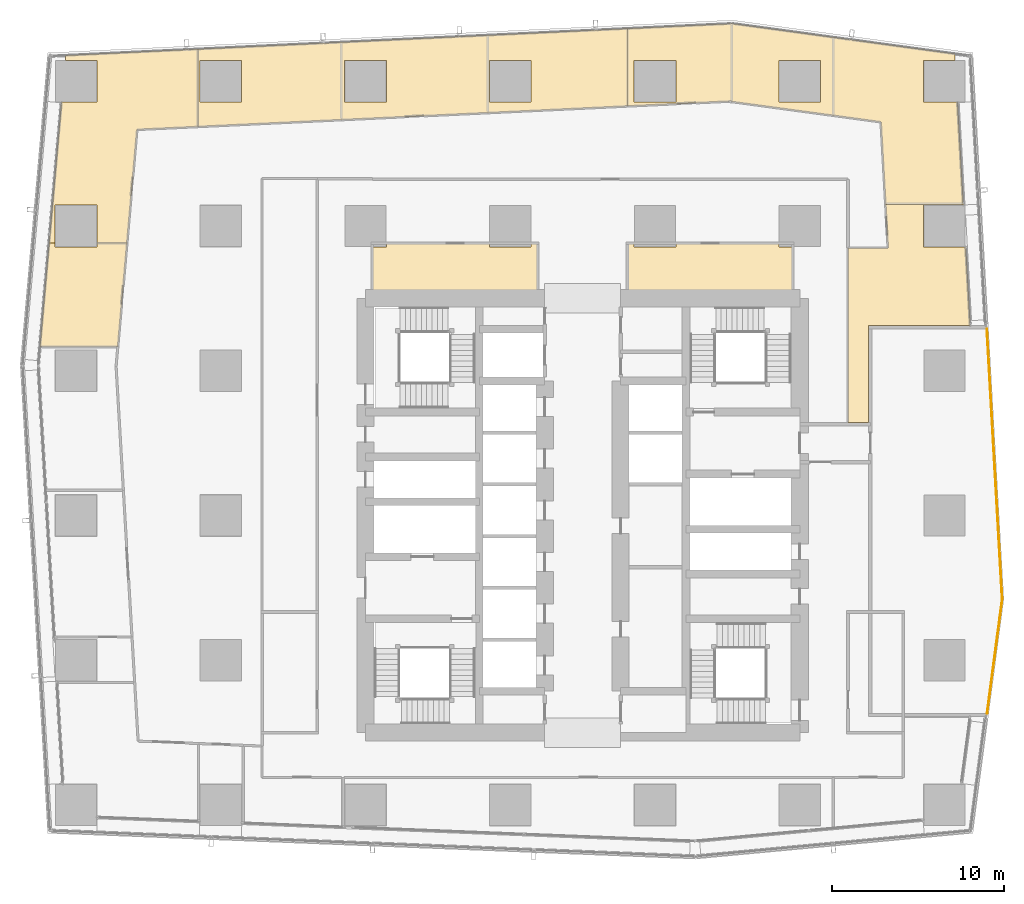
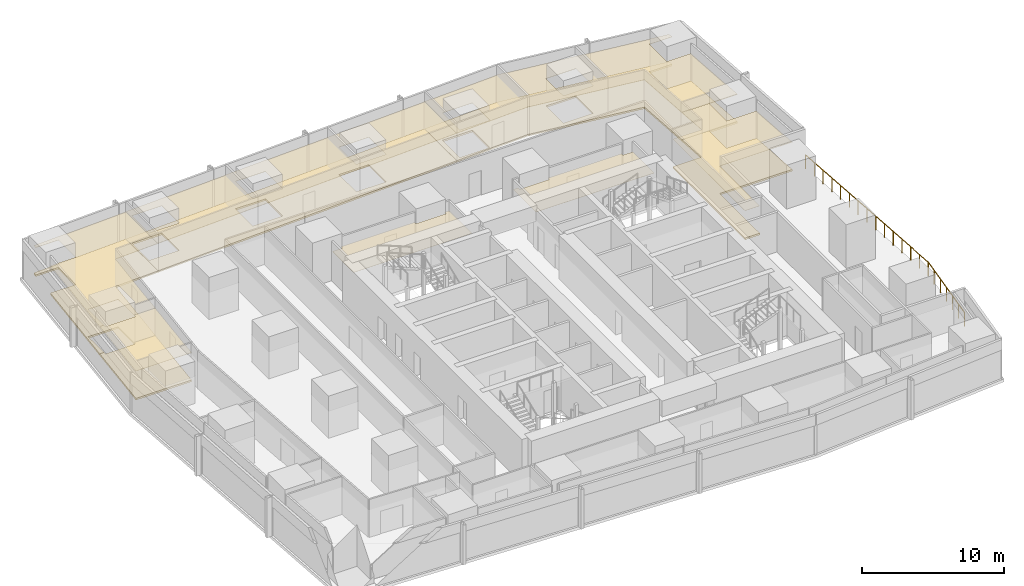
# One storey, part 34 of 34: 12 coverings, 1 railing.
"""IFC4 building model written with IfcOpenShell, lengths in metres."""

import ifcopenshell
import ifcopenshell.guid

model = None  # the IFC model being written
_history = None  # IfcOwnerHistory: only IFC2X3 demands one
_inside = {}  # id of a spatial element -> (the spatial element, [elements in it])
_under = {}  # id of a project, library or spatial element -> (it, [spatial elements below it])
_declared = {}  # id of a project -> (the project, [libraries it declares])
_typed = {}  # id of a type object -> (the type object, [elements of that type])
_made_of = {}  # id of a material, layer set ... -> (it, [elements and type objects made of it])


def new_model(schema):
    """Start an empty IFC model of exactly this schema.

    Asked for "IFC4X3", IfcOpenShell would pick the latest addendum, in which some entities
    have other attributes; the version numbers below select the first issue.
    IFC2X3 requires an IfcOwnerHistory on every rooted entity: one is made here for all.
    """
    global model, _history
    if schema == "IFC4X3":
        model = ifcopenshell.file(schema_version=(4, 3, 0, 0))
    else:
        model = ifcopenshell.file(schema=schema)
    _inside.clear()
    _under.clear()
    _declared.clear()
    _typed.clear()
    _made_of.clear()
    _history = None
    if model.schema == "IFC2X3":
        org = make("IfcOrganization", Name="unknown")
        user = make(
            "IfcPersonAndOrganization",
            ThePerson=make("IfcPerson", FamilyName="unknown"),
            TheOrganization=org,
        )
        app = make(
            "IfcApplication",
            ApplicationDeveloper=org,
            Version="unknown",
            ApplicationFullName="unknown",
            ApplicationIdentifier="unknown",
        )
        _history = make(
            "IfcOwnerHistory",
            OwningUser=user,
            OwningApplication=app,
            ChangeAction="ADDED",
            CreationDate=0,
        )
    return model


def make(cls, **values):
    """One entity of the class cls with the attributes given. An attribute that is None is left unset."""
    return model.create_entity(
        cls, **{name: value for name, value in values.items() if value is not None}
    )


def rooted(cls, **values):
    """An entity with a GlobalId (a new one), such as an element, a storey or a relation."""
    return make(cls, GlobalId=ifcopenshell.guid.new(), OwnerHistory=_history, **values)


def si_unit(unit_type, name, prefix=None):
    """IfcSIUnit, for example si_unit("LENGTHUNIT", "METRE", prefix="MILLI")."""
    return make("IfcSIUnit", UnitType=unit_type, Prefix=prefix, Name=name)


def assignment(units):
    """IfcUnitAssignment: the units of a project."""
    return None if units is None else make("IfcUnitAssignment", Units=units)


def point(xyz):
    """IfcCartesianPoint."""
    return None if xyz is None else make("IfcCartesianPoint", Coordinates=xyz)


def direction(xyz):
    """IfcDirection."""
    return None if xyz is None else make("IfcDirection", DirectionRatios=xyz)


def frame(location, z_axis=None, x_axis=None):
    """IfcAxis2Placement3D, a coordinate frame: its origin and axes. An axis left out is left unset."""
    return make(
        "IfcAxis2Placement3D",
        Location=point(location),
        Axis=direction(z_axis),
        RefDirection=direction(x_axis),
    )


def frame_2d(location, x_axis=None):
    """IfcAxis2Placement2D, a coordinate frame in the plane: its origin and x axis."""
    return make(
        "IfcAxis2Placement2D", Location=point(location), RefDirection=direction(x_axis)
    )


def origin():
    """The frame at (0, 0, 0) with its axes left unset."""
    return frame((0.0, 0.0, 0.0))


def origin_2d():
    """The frame at (0, 0) in the plane with its x axis left unset."""
    return frame_2d((0.0, 0.0))


def place(relative_to, where):
    """IfcLocalPlacement: puts the frame where relative to a parent placement (None: the world)."""
    return make(
        "IfcLocalPlacement", PlacementRelTo=relative_to, RelativePlacement=where
    )


def context(
    kind, dimensions, precision=None, world=None, true_north=None, identifier=None
):
    """IfcGeometricRepresentationContext, for example the 3D "Model" context."""
    return make(
        "IfcGeometricRepresentationContext",
        ContextIdentifier=identifier,
        ContextType=kind,
        CoordinateSpaceDimension=dimensions,
        Precision=precision,
        WorldCoordinateSystem=world,
        TrueNorth=true_north,
    )


def subcontext(parent, identifier, kind, view, scale=None):
    """IfcGeometricRepresentationSubContext, for example "Body" below "Model"."""
    return make(
        "IfcGeometricRepresentationSubContext",
        ContextIdentifier=identifier,
        ContextType=kind,
        ParentContext=parent,
        TargetScale=scale,
        TargetView=view,
    )


def project(units=None, contexts=None):
    """IfcProject with its units and contexts."""
    return rooted(
        "IfcProject",
        Name="project",
        RepresentationContexts=contexts,
        UnitsInContext=assignment(units),
    )


def spatial(cls, under=None, at=None, **own):
    """A site, building, storey or space (cls), placed at a placement, below another one or the project."""
    s = rooted(cls, ObjectPlacement=at, **own)
    if under is not None:
        _under.setdefault(under.id(), (under, []))[1].append(s)
    return s


def polyline(points):
    """IfcPolyline through the points."""
    return make("IfcPolyline", Points=[point(p) for p in points])


def profile(cls, at=None, kind="AREA", **sizes):
    """A parametric profile (cls). Its sizes go by their IFC names, for example OverallWidth=200.0."""
    return make(cls, ProfileType=kind, Position=at, **sizes)


def circle(**sizes):
    """IfcCircleProfileDef."""
    return profile("IfcCircleProfileDef", **sizes)


def outline(outer, holes=None, kind="AREA"):
    """IfcArbitraryClosedProfileDef: a profile drawn as a closed curve; with holes, ...WithVoids."""
    if holes is None:
        return make("IfcArbitraryClosedProfileDef", ProfileType=kind, OuterCurve=outer)
    return make(
        "IfcArbitraryProfileDefWithVoids",
        ProfileType=kind,
        OuterCurve=outer,
        InnerCurves=holes,
    )


def extrude(swept, where, along, depth):
    """IfcExtrudedAreaSolid: the profile swept, set in the frame where, extruded along a direction by depth."""
    return make(
        "IfcExtrudedAreaSolid",
        SweptArea=swept,
        Position=where,
        ExtrudedDirection=direction(along),
        Depth=depth,
    )


def shape(context_of_items, identifier, shape_type, items):
    """IfcShapeRepresentation: the items that make up one representation, for example the "Body"."""
    return make(
        "IfcShapeRepresentation",
        ContextOfItems=context_of_items,
        RepresentationIdentifier=identifier,
        RepresentationType=shape_type,
        Items=items,
    )


def material(Name=None, Category=None):
    """IfcMaterial."""
    return make("IfcMaterial", Name=Name, Category=Category)


def layer(
    of_material, thickness, ventilated=None, Name=None, Category=None, Priority=None
):
    """IfcMaterialLayer: one layer of a wall or slab, of a material (None: an air gap)."""
    return make(
        "IfcMaterialLayer",
        Material=of_material,
        LayerThickness=thickness,
        IsVentilated=ventilated,
        Name=Name,
        Category=Category,
        Priority=Priority,
    )


def layer_set(layers, Name=None):
    """IfcMaterialLayerSet."""
    return make("IfcMaterialLayerSet", MaterialLayers=layers, LayerSetName=Name)


def made_of(thing, what):
    """Note that an element or type object is made of a material, layer set ...; save() writes the relation."""
    if what is not None:
        _made_of.setdefault(what.id(), (what, []))[1].append(thing)
    return thing


def type_object(cls, material=None, **own):
    """A type object (cls), such as IfcWallType, which elements share."""
    return made_of(rooted(cls, **own), material)


def element(
    cls,
    number,
    at=None,
    inside=None,
    cuts=None,
    type_object=None,
    material=None,
    context=None,
    identifier="Body",
    shape_type=None,
    held_by="IfcProductDefinitionShape",
    body=None,
    shapes=None,
    **own,
):
    """One element of the class cls, such as IfcWall. Its Tag is "e" and its number.

    at: its placement. inside: the storey or other place that contains it. cuts: it is an
    opening in that element (IfcRelVoidsElement). A single representation is given by context,
    identifier, shape_type and body (its items); several are given by shapes. held_by: the class
    of the entity that holds the representations. save() writes the other relations.
    """
    e = rooted(cls, Tag="e%d" % number, ObjectPlacement=at, **own)
    if body is not None:
        shapes = [shape(context, identifier, shape_type, body)]
    if shapes is not None:
        e.Representation = make(held_by, Representations=shapes)
    if inside is not None:
        _inside.setdefault(inside.id(), (inside, []))[1].append(e)
    if cuts is not None:
        rooted(
            "IfcRelVoidsElement", RelatingBuildingElement=cuts, RelatedOpeningElement=e
        )
    if type_object is not None:
        _typed.setdefault(type_object.id(), (type_object, []))[1].append(e)
    return made_of(e, material)


def aggregate(whole, parts):
    """IfcRelAggregates: a whole, such as a stair, and the parts it consists of."""
    return rooted("IfcRelAggregates", RelatingObject=whole, RelatedObjects=parts)


def save(model, path):
    """Write the relations noted so far, then the file.

    IfcRelAggregates (storeys below a building ...), IfcRelContainedInSpatialStructure (elements
    in a storey), IfcRelDefinesByType, IfcRelAssociatesMaterial and IfcRelDeclares: one each for
    every whole, place, type object, material and project.
    """
    for whole, parts in _under.values():
        aggregate(whole, parts)
    for where, things in _inside.values():
        rooted(
            "IfcRelContainedInSpatialStructure",
            RelatedElements=things,
            RelatingStructure=where,
        )
    for kind, things in _typed.values():
        rooted("IfcRelDefinesByType", RelatedObjects=things, RelatingType=kind)
    for what, things in _made_of.values():
        rooted("IfcRelAssociatesMaterial", RelatedObjects=things, RelatingMaterial=what)
    for by, libraries in _declared.values():
        rooted("IfcRelDeclares", RelatingContext=by, RelatedDefinitions=libraries)
    model.write(path)


model = new_model("IFC4")

# Units and contexts
model_context = context("Model", 3, precision=1e-05, world=origin(), true_north=direction((0.0, 1.0)))
body_context = subcontext(model_context, "Body", "Model", "MODEL_VIEW")
ifc_project = project(units=[si_unit("LENGTHUNIT", "METRE"), si_unit("AREAUNIT", "SQUARE_METRE"), si_unit("VOLUMEUNIT", "CUBIC_METRE"), si_unit("PLANEANGLEUNIT", "RADIAN"), si_unit("MASSUNIT", "GRAM", prefix="KILO")], contexts=[model_context])

# Site, building, storey
site_placement = place(None, origin())
site = spatial("IfcSite", under=ifc_project, at=site_placement, CompositionType="ELEMENT")
building_placement = place(site_placement, origin())
building = spatial("IfcBuilding", under=site, at=building_placement, Name="Rekha Terrace Tower", CompositionType="ELEMENT")
storey_placement = place(building_placement, frame((0.0, 0.0, 236.449951171875)))
storey = spatial("IfcBuildingStorey", under=building, at=storey_placement, Name="L60", CompositionType="ELEMENT", Elevation=236.449951171875)

# Coverings
ifc_material_1 = material(Name="Mineral fibre tile in exposed grid", Category="finish")
ifc_layer_1 = layer(ifc_material_1, 0.02001953125)
ifc_layer_set_1 = layer_set([ifc_layer_1], Name="Mineral fibre tile in exposed grid")
covering_type_1 = type_object("IfcCoveringType", Name="CL1 600x1200 office grid ceiling", PredefinedType="CEILING", material=ifc_layer_set_1)
covering_1_placement = place(storey_placement, frame((0.0, 0.0, 2.47998046875)))
element("IfcCovering", 1, at=covering_1_placement, inside=storey, type_object=covering_type_1, Name="Ceiling L60-04", PredefinedType="CEILING", context=body_context, shape_type="SweptSolid", body=[
    extrude(outline(polyline([(59.887939453125, 51.656982421875), (55.3798828125, 51.656982421875), (55.52392578125, 49.12890625), (53.199951171875, 49.12890625), (53.199951171875, 39.0009765625), (54.39892578125, 39.0009765625), (54.39892578125, 44.62890625), (60.287109375, 44.62890625), (60.284912109375, 44.660888671875), (60.028076171875, 49.18505859375), (57.5849609375, 49.18505859375), (57.5849609375, 51.614990234375), (59.889892578125, 51.614990234375), (59.887939453125, 51.656982421875)])), origin(), (0.0, 0.0, 1.0), 0.02001953125),
])
covering_2_placement = place(storey_placement, frame((0.0, 0.0, 2.47998046875)))
element("IfcCovering", 2, at=covering_2_placement, inside=storey, type_object=covering_type_1, Name="Ceiling L60-05", PredefinedType="CEILING", context=body_context, shape_type="SweptSolid", body=[
    extrude(outline(polyline([(40.40087890625, 61.85791015625), (40.40087890625, 57.35302734375), (46.445068359375, 57.64208984375), (46.445068359375, 57.612060546875), (52.342041015625, 56.81005859375), (55.10888671875, 56.43310546875), (55.3798828125, 51.657958984375), (59.887939453125, 51.657958984375), (59.551025390625, 57.5849609375), (57.5849609375, 57.5849609375), (57.5849609375, 60.014892578125), (59.4130859375, 60.014892578125), (59.39208984375, 60.39208984375), (52.339111328125, 61.35205078125), (46.445068359375, 62.154052734375), (46.445068359375, 62.14697265625), (40.40087890625, 61.85791015625)]), holes=[polyline([(51.614990234375, 57.5849609375), (49.18505859375, 57.5849609375), (49.18505859375, 60.014892578125), (51.614990234375, 60.014892578125), (51.614990234375, 57.5849609375)]), polyline([(43.215087890625, 60.014892578125), (43.215087890625, 57.5849609375), (40.784912109375, 57.5849609375), (40.784912109375, 60.014892578125), (43.215087890625, 60.014892578125)])]), origin(), (0.0, 0.0, 1.0), 0.02001953125),
])
covering_3_placement = place(storey_placement, frame((0.0, 0.0, 2.47998046875)))
element("IfcCovering", 3, at=covering_3_placement, inside=storey, type_object=covering_type_1, Name="Ceiling L60-06", PredefinedType="CEILING", context=body_context, shape_type="SweptSolid", body=[
    extrude(outline(polyline([(32.299072265625, 61.470947265625), (23.794921875, 61.06494140625), (15.467041015625, 60.666015625), (15.467041015625, 56.160888671875), (23.7919921875, 56.55908203125), (32.302001953125, 56.966064453125), (40.39990234375, 57.35302734375), (40.39990234375, 61.85791015625), (32.299072265625, 61.470947265625)]), holes=[polyline([(34.81494140625, 57.5849609375), (32.385009765625, 57.5849609375), (32.385009765625, 60.014892578125), (34.81494140625, 60.014892578125), (34.81494140625, 57.5849609375)]), polyline([(26.4150390625, 57.5849609375), (23.985107421875, 57.5849609375), (23.985107421875, 60.014892578125), (26.4150390625, 60.014892578125), (26.4150390625, 57.5849609375)]), polyline([(18.014892578125, 60.014892578125), (18.014892578125, 57.5849609375), (15.5849609375, 57.5849609375), (15.5849609375, 60.014892578125), (18.014892578125, 60.014892578125)])]), origin(), (0.0, 0.0, 1.0), 0.02001953125),
])
covering_4_placement = place(storey_placement, frame((0.0, 0.0, 2.47998046875)))
element("IfcCovering", 4, at=covering_4_placement, inside=storey, type_object=covering_type_1, Name="Ceiling L60-07", PredefinedType="CEILING", context=body_context, shape_type="SweptSolid", body=[
    extrude(outline(polyline([(9.614990234375, 51.614990234375), (9.614990234375, 49.39794921875), (11.35595703125, 49.39794921875), (11.93798828125, 55.992919921875), (15.466064453125, 56.160888671875), (15.466064453125, 60.666015625), (7.801025390625, 60.300048828125), (7.77587890625, 60.014892578125), (9.614990234375, 60.014892578125), (9.614990234375, 57.5849609375), (7.56103515625, 57.5849609375), (6.837890625, 49.39794921875), (7.18505859375, 49.39794921875), (7.18505859375, 51.614990234375), (9.614990234375, 51.614990234375)])), origin(), (0.0, 0.0, 1.0), 0.02001953125),
])
covering_5_placement = place(storey_placement, frame((0.0, 0.0, 2.47998046875)))
element("IfcCovering", 5, at=covering_5_placement, inside=storey, type_object=covering_type_1, Name="Ceiling L60-08", PredefinedType="CEILING", context=body_context, shape_type="SweptSolid", body=[
    extrude(outline(polyline([(7.18505859375, 49.39697265625), (6.837890625, 49.39697265625), (6.30810546875, 43.39208984375), (10.825927734375, 43.39208984375), (11.35595703125, 49.39697265625), (9.614990234375, 49.39697265625), (9.614990234375, 49.18505859375), (7.18505859375, 49.18505859375), (7.18505859375, 49.39697265625)])), origin(), (0.0, 0.0, 1.0), 0.02001953125),
])
ifc_material_2 = material(Name="Fibre cement board", Category="finish")
ifc_layer_2 = layer(ifc_material_2, 0.014892578125)
ifc_layer_set_2 = layer_set([ifc_layer_2], Name="Fibre cement board")
covering_type_2 = type_object("IfcCoveringType", Name="CL2 moisture-resistant board ceiling", PredefinedType="CEILING", material=ifc_layer_set_2)
covering_6_placement = place(storey_placement, frame((0.0, 0.0, 2.485107421875)))
element("IfcCovering", 6, at=covering_6_placement, inside=storey, type_object=covering_type_2, Name="Ceiling L60-WCF", PredefinedType="CEILING", context=body_context, shape_type="SweptSolid", body=[
    extrude(outline(polyline([(40.784912109375, 49.39990234375), (40.39990234375, 49.39990234375), (40.39990234375, 46.199951171875), (50.0, 46.199951171875), (50.0, 49.18505859375), (49.18505859375, 49.18505859375), (49.18505859375, 49.39990234375), (43.215087890625, 49.39990234375), (43.215087890625, 49.18505859375), (40.784912109375, 49.18505859375), (40.784912109375, 49.39990234375)])), origin(), (0.0, 0.0, 1.0), 0.014892578125),
])
covering_7_placement = place(storey_placement, frame((0.0, 0.0, 2.485107421875)))
element("IfcCovering", 7, at=covering_7_placement, inside=storey, type_object=covering_type_2, Name="Ceiling L60-WCF2", PredefinedType="CEILING", context=body_context, shape_type="SweptSolid", body=[
    extrude(outline(polyline([(26.4150390625, 49.18505859375), (25.60009765625, 49.18505859375), (25.60009765625, 46.199951171875), (35.199951171875, 46.199951171875), (35.199951171875, 49.39990234375), (34.81494140625, 49.39990234375), (34.81494140625, 49.18505859375), (32.385009765625, 49.18505859375), (32.385009765625, 49.39990234375), (26.4150390625, 49.39990234375), (26.4150390625, 49.18505859375)])), origin(), (0.0, 0.0, 1.0), 0.014892578125),
])

# Railing
ifc_material_3 = material(Name="Steel guard with vertical balusters", Category="steel")
railing_type = type_object("IfcRailingType", Name="GR2 refuge area guard 1200", PredefinedType="GUARDRAIL", material=ifc_material_3)
railing_placement = place(storey_placement, frame((61.27294921875, 22.1220703125, 0.0)))
element("IfcRailing", 8, at=railing_placement, inside=storey, type_object=railing_type, Name="Refuge area guard L60", PredefinedType="GUARDRAIL", context=body_context, shape_type="SweptSolid", body=[
    extrude(circle(Radius=0.02392578125, at=origin_2d()), frame((0.0, 0.0, 1.17578125), z_axis=(0.131287427246, 0.991344345547, 0.0), x_axis=(-0.991344345547, 0.131287427246, 0.0)), (0.0, 0.0, 1.0), 6.6796875),
    extrude(circle(Radius=0.02392578125, at=origin_2d()), frame((0.876953125, 6.621826171875, 1.17578125), z_axis=(-0.05670943861, 0.998390724903, 0.0), x_axis=(-0.998390724903, -0.05670943861, 0.0)), (0.0, 0.0, 1.0), 15.70947265625),
    extrude(circle(Radius=0.02099609375, at=origin_2d()), origin(), (0.0, 0.0, 1.0), 1.15185546875),
    extrude(circle(Radius=0.02099609375, at=origin_2d()), frame((0.146240234375, 1.103515625, 0.0)), (0.0, 0.0, 1.0), 1.15185546875),
    extrude(circle(Radius=0.02099609375, at=origin_2d()), frame((0.292236328125, 2.207275390625, 0.0)), (0.0, 0.0, 1.0), 1.15185546875),
    extrude(circle(Radius=0.02099609375, at=origin_2d()), frame((0.4384765625, 3.31103515625, 0.0)), (0.0, 0.0, 1.0), 1.15185546875),
    extrude(circle(Radius=0.02099609375, at=origin_2d()), frame((0.584716796875, 4.41455078125, 0.0)), (0.0, 0.0, 1.0), 1.15185546875),
    extrude(circle(Radius=0.02099609375, at=origin_2d()), frame((0.730712890625, 5.51806640625, 0.0)), (0.0, 0.0, 1.0), 1.15185546875),
    extrude(circle(Radius=0.02099609375, at=origin_2d()), frame((0.876953125, 6.621826171875, 0.0)), (0.0, 0.0, 1.0), 1.15185546875),
    extrude(circle(Radius=0.02099609375, at=origin_2d()), frame((0.813232421875, 7.7421875, 0.0)), (0.0, 0.0, 1.0), 1.15185546875),
    extrude(circle(Radius=0.02099609375, at=origin_2d()), frame((0.749755859375, 8.8623046875, 0.0)), (0.0, 0.0, 1.0), 1.15185546875),
    extrude(circle(Radius=0.02099609375, at=origin_2d()), frame((0.68603515625, 9.982666015625, 0.0)), (0.0, 0.0, 1.0), 1.15185546875),
    extrude(circle(Radius=0.02099609375, at=origin_2d()), frame((0.622314453125, 11.10302734375, 0.0)), (0.0, 0.0, 1.0), 1.15185546875),
    extrude(circle(Radius=0.02099609375, at=origin_2d()), frame((0.558837890625, 12.223388671875, 0.0)), (0.0, 0.0, 1.0), 1.15185546875),
    extrude(circle(Radius=0.02099609375, at=origin_2d()), frame((0.4951171875, 13.343505859375, 0.0)), (0.0, 0.0, 1.0), 1.15185546875),
    extrude(circle(Radius=0.02099609375, at=origin_2d()), frame((0.431640625, 14.4638671875, 0.0)), (0.0, 0.0, 1.0), 1.15185546875),
    extrude(circle(Radius=0.02099609375, at=origin_2d()), frame((0.367919921875, 15.584228515625, 0.0)), (0.0, 0.0, 1.0), 1.15185546875),
    extrude(circle(Radius=0.02099609375, at=origin_2d()), frame((0.30419921875, 16.704345703125, 0.0)), (0.0, 0.0, 1.0), 1.15185546875),
    extrude(circle(Radius=0.02099609375, at=origin_2d()), frame((0.24072265625, 17.82470703125, 0.0)), (0.0, 0.0, 1.0), 1.15185546875),
    extrude(circle(Radius=0.02099609375, at=origin_2d()), frame((0.177001953125, 18.945068359375, 0.0)), (0.0, 0.0, 1.0), 1.15185546875),
    extrude(circle(Radius=0.02099609375, at=origin_2d()), frame((0.11328125, 20.0654296875, 0.0)), (0.0, 0.0, 1.0), 1.15185546875),
    extrude(circle(Radius=0.02099609375, at=origin_2d()), frame((0.0498046875, 21.185546875, 0.0)), (0.0, 0.0, 1.0), 1.15185546875),
    extrude(circle(Radius=0.02099609375, at=origin_2d()), frame((-0.013916015625, 22.305908203125, 0.0)), (0.0, 0.0, 1.0), 1.15185546875),
])

# Coverings
ifc_material_4 = material(Name="Calcium sulphate panels on steel pedestals", Category="steel")
ifc_layer_3 = layer(ifc_material_4, 0.14990234375)
ifc_layer_set_3 = layer_set([ifc_layer_3], Name="Calcium sulphate panels on steel pedestals")
covering_type_3 = type_object("IfcCoveringType", Name="RF1 150 raised access floor", PredefinedType="FLOORING", material=ifc_layer_set_3)
covering_8_placement = place(storey_placement, origin())
element("IfcCovering", 9, at=covering_8_placement, inside=storey, type_object=covering_type_3, Name="Raised floor L60-04", PredefinedType="FLOORING", context=body_context, shape_type="SweptSolid", body=[
    extrude(outline(polyline([(59.887939453125, 51.656982421875), (55.3798828125, 51.656982421875), (55.52392578125, 49.12890625), (53.199951171875, 49.12890625), (53.199951171875, 39.0009765625), (54.39892578125, 39.0009765625), (54.39892578125, 44.62890625), (60.287109375, 44.62890625), (60.284912109375, 44.660888671875), (60.028076171875, 49.18505859375), (57.5849609375, 49.18505859375), (57.5849609375, 51.614990234375), (59.889892578125, 51.614990234375), (59.887939453125, 51.656982421875)])), origin(), (0.0, 0.0, 1.0), 0.150146484375),
])
covering_9_placement = place(storey_placement, origin())
element("IfcCovering", 10, at=covering_9_placement, inside=storey, type_object=covering_type_3, Name="Raised floor L60-05", PredefinedType="FLOORING", context=body_context, shape_type="SweptSolid", body=[
    extrude(outline(polyline([(40.40087890625, 61.85791015625), (40.40087890625, 57.35302734375), (46.445068359375, 57.64208984375), (46.445068359375, 57.612060546875), (52.342041015625, 56.81005859375), (55.10888671875, 56.43310546875), (55.3798828125, 51.657958984375), (59.887939453125, 51.657958984375), (59.551025390625, 57.5849609375), (57.5849609375, 57.5849609375), (57.5849609375, 60.014892578125), (59.4130859375, 60.014892578125), (59.39208984375, 60.39208984375), (52.339111328125, 61.35205078125), (46.445068359375, 62.154052734375), (46.445068359375, 62.14697265625), (40.40087890625, 61.85791015625)]), holes=[polyline([(51.614990234375, 57.5849609375), (49.18505859375, 57.5849609375), (49.18505859375, 60.014892578125), (51.614990234375, 60.014892578125), (51.614990234375, 57.5849609375)]), polyline([(43.215087890625, 60.014892578125), (43.215087890625, 57.5849609375), (40.784912109375, 57.5849609375), (40.784912109375, 60.014892578125), (43.215087890625, 60.014892578125)])]), origin(), (0.0, 0.0, 1.0), 0.150146484375),
])
covering_10_placement = place(storey_placement, origin())
element("IfcCovering", 11, at=covering_10_placement, inside=storey, type_object=covering_type_3, Name="Raised floor L60-06", PredefinedType="FLOORING", context=body_context, shape_type="SweptSolid", body=[
    extrude(outline(polyline([(32.299072265625, 61.470947265625), (23.794921875, 61.06494140625), (15.467041015625, 60.666015625), (15.467041015625, 56.160888671875), (23.7919921875, 56.55908203125), (32.302001953125, 56.966064453125), (40.39990234375, 57.35302734375), (40.39990234375, 61.85791015625), (32.299072265625, 61.470947265625)]), holes=[polyline([(34.81494140625, 57.5849609375), (32.385009765625, 57.5849609375), (32.385009765625, 60.014892578125), (34.81494140625, 60.014892578125), (34.81494140625, 57.5849609375)]), polyline([(26.4150390625, 57.5849609375), (23.985107421875, 57.5849609375), (23.985107421875, 60.014892578125), (26.4150390625, 60.014892578125), (26.4150390625, 57.5849609375)]), polyline([(18.014892578125, 60.014892578125), (18.014892578125, 57.5849609375), (15.5849609375, 57.5849609375), (15.5849609375, 60.014892578125), (18.014892578125, 60.014892578125)])]), origin(), (0.0, 0.0, 1.0), 0.150146484375),
])
covering_11_placement = place(storey_placement, origin())
element("IfcCovering", 12, at=covering_11_placement, inside=storey, type_object=covering_type_3, Name="Raised floor L60-07", PredefinedType="FLOORING", context=body_context, shape_type="SweptSolid", body=[
    extrude(outline(polyline([(9.614990234375, 51.614990234375), (9.614990234375, 49.39794921875), (11.35595703125, 49.39794921875), (11.93798828125, 55.992919921875), (15.466064453125, 56.160888671875), (15.466064453125, 60.666015625), (7.801025390625, 60.300048828125), (7.77587890625, 60.014892578125), (9.614990234375, 60.014892578125), (9.614990234375, 57.5849609375), (7.56103515625, 57.5849609375), (6.837890625, 49.39794921875), (7.18505859375, 49.39794921875), (7.18505859375, 51.614990234375), (9.614990234375, 51.614990234375)])), origin(), (0.0, 0.0, 1.0), 0.150146484375),
])
covering_12_placement = place(storey_placement, origin())
element("IfcCovering", 13, at=covering_12_placement, inside=storey, type_object=covering_type_3, Name="Raised floor L60-08", PredefinedType="FLOORING", context=body_context, shape_type="SweptSolid", body=[
    extrude(outline(polyline([(7.18505859375, 49.39697265625), (6.837890625, 49.39697265625), (6.30810546875, 43.39208984375), (10.825927734375, 43.39208984375), (11.35595703125, 49.39697265625), (9.614990234375, 49.39697265625), (9.614990234375, 49.18505859375), (7.18505859375, 49.18505859375), (7.18505859375, 49.39697265625)])), origin(), (0.0, 0.0, 1.0), 0.150146484375),
])

save(model, "model.ifc")
